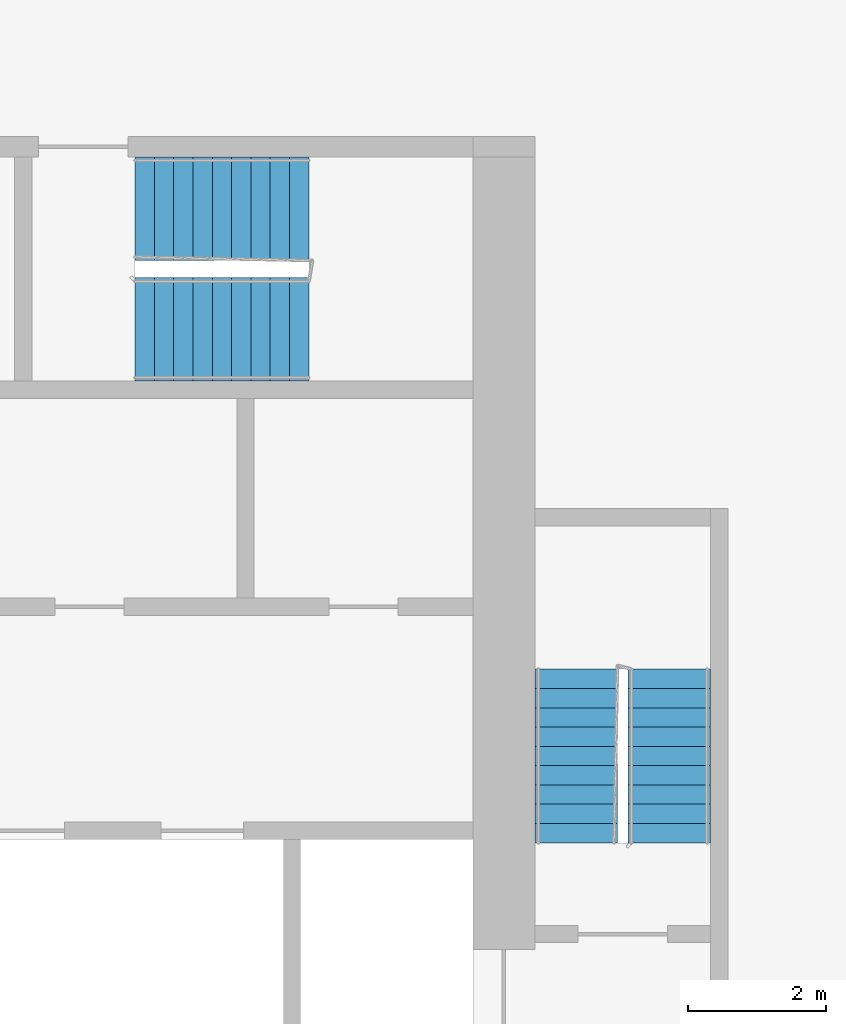
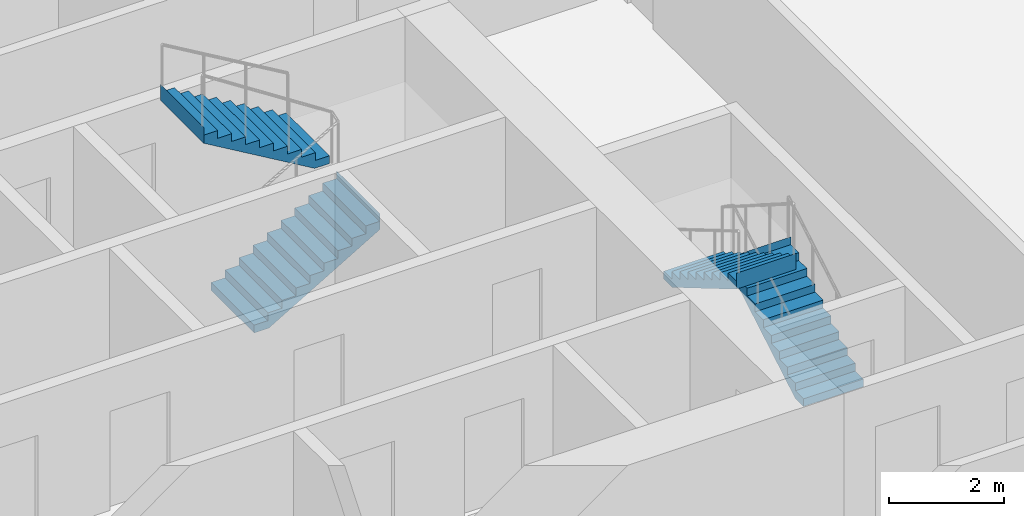
# One storey, part 11 of 12: 4 stair flights, 2 elements without a shape of their own.
"""IFC4 building model written with IfcOpenShell, lengths in metres."""

from ifc_helpers import new_model, si_unit, direction, frame, origin, place, context, subcontext, project, spatial, faceted_brep, material, type_object, element, aggregate, save


model = new_model("IFC4")

# Units and contexts
model_context = context("Model", 3, precision=1e-05, world=origin(), true_north=direction((0.0, 1.0)))
body_context = subcontext(model_context, "Body", "Model", "MODEL_VIEW")
ifc_project = project(units=[si_unit("LENGTHUNIT", "METRE"), si_unit("AREAUNIT", "SQUARE_METRE"), si_unit("VOLUMEUNIT", "CUBIC_METRE"), si_unit("PLANEANGLEUNIT", "RADIAN"), si_unit("MASSUNIT", "GRAM", prefix="KILO")], contexts=[model_context])

# Site, building, storey
site_placement = place(None, origin())
site = spatial("IfcSite", under=ifc_project, at=site_placement, CompositionType="ELEMENT")
building_placement = place(site_placement, origin())
building = spatial("IfcBuilding", under=site, at=building_placement, Name="Kajstack Hotel Tower", CompositionType="ELEMENT")
storey_placement = place(building_placement, frame((0.0, 0.0, 234.199951171875)))
storey = spatial("IfcBuildingStorey", under=building, at=storey_placement, Name="L57", CompositionType="ELEMENT", Elevation=234.199951171875)

# Stair, stair flights
ifc_material = material(Name="Concrete C40/50", Category="concrete")
stair_type_1 = type_object("IfcStairType", Name="Exit stair 1200", PredefinedType="HALF_TURN_STAIR", material=ifc_material)
stair_1_placement = place(storey_placement, origin())
stair_1 = element("IfcStair", 1, at=stair_1_placement, inside=storey, type_object=stair_type_1, Name="L57 stair E1", PredefinedType="HALF_TURN_STAIR")
stair_flight_type_1 = type_object("IfcStairFlightType", Name="Exit stair flight 1200", PredefinedType="STRAIGHT", material=ifc_material)
stair_flight_1_placement = place(storey_placement, frame((33.449951171875, 5.25, 0.0), z_axis=(0.0, 0.0, 1.0), x_axis=(0.0, 1.0, 0.0)))
stair_flight_1 = element("IfcStairFlight", 2, at=stair_flight_1_placement, type_object=stair_flight_type_1, Name="E1 flight 1", NumberOfRisers=10, NumberOfTreads=9, PredefinedType="STRAIGHT", RiserHeight=0.165, TreadLength=0.28, context=body_context, shape_type="Brep", body=[
    faceted_brep([(0.295654296875, -0.60009765625, 0.0), (2.5205078125, -0.60009765625, 1.31103515625), (2.5205078125, -0.60009765625, 1.64990234375), (2.52001953125, -0.60009765625, 1.64990234375), (2.52001953125, -0.60009765625, 1.485107421875), (2.239990234375, -0.60009765625, 1.485107421875), (2.239990234375, -0.60009765625, 1.320068359375), (1.9599609375, -0.60009765625, 1.320068359375), (1.9599609375, -0.60009765625, 1.155029296875), (1.679931640625, -0.60009765625, 1.155029296875), (1.679931640625, -0.60009765625, 0.989990234375), (1.39990234375, -0.60009765625, 0.989990234375), (1.39990234375, -0.60009765625, 0.824951171875), (1.1201171875, -0.60009765625, 0.824951171875), (1.1201171875, -0.60009765625, 0.659912109375), (0.840087890625, -0.60009765625, 0.659912109375), (0.840087890625, -0.60009765625, 0.4951171875), (0.56005859375, -0.60009765625, 0.4951171875), (0.56005859375, -0.60009765625, 0.330078125), (0.280029296875, -0.60009765625, 0.330078125), (0.280029296875, -0.60009765625, 0.1650390625), (-0.00048828125, -0.60009765625, 0.1650390625), (-0.00048828125, -0.60009765625, 0.0), (-0.00048828125, 0.60009765625, 0.0), (-0.00048828125, 0.60009765625, 0.1650390625), (0.280029296875, 0.60009765625, 0.1650390625), (0.280029296875, 0.60009765625, 0.330078125), (0.56005859375, 0.60009765625, 0.330078125), (0.56005859375, 0.60009765625, 0.4951171875), (0.840087890625, 0.60009765625, 0.4951171875), (0.840087890625, 0.60009765625, 0.659912109375), (1.1201171875, 0.60009765625, 0.659912109375), (1.1201171875, 0.60009765625, 0.824951171875), (1.39990234375, 0.60009765625, 0.824951171875), (1.39990234375, 0.60009765625, 0.989990234375), (1.679931640625, 0.60009765625, 0.989990234375), (1.679931640625, 0.60009765625, 1.155029296875), (1.9599609375, 0.60009765625, 1.155029296875), (1.9599609375, 0.60009765625, 1.320068359375), (2.239990234375, 0.60009765625, 1.320068359375), (2.239990234375, 0.60009765625, 1.485107421875), (2.52001953125, 0.60009765625, 1.485107421875), (2.52001953125, 0.60009765625, 1.64990234375), (2.5205078125, 0.60009765625, 1.64990234375), (2.5205078125, 0.60009765625, 1.31103515625), (0.295654296875, 0.60009765625, 0.0), (-0.00048828125, -0.300048828125, 0.1650390625), (-0.00048828125, 0.0, 0.1650390625), (-0.00048828125, 0.300048828125, 0.1650390625), (-0.00048828125, 0.300048828125, 0.0), (-0.00048828125, 0.0, 0.0), (-0.00048828125, -0.300048828125, 0.0), (0.280029296875, -0.300048828125, 0.1650390625), (0.280029296875, 0.0, 0.1650390625), (0.280029296875, 0.300048828125, 0.1650390625), (0.280029296875, -0.300048828125, 0.330078125), (0.280029296875, 0.0, 0.330078125), (0.280029296875, 0.300048828125, 0.330078125), (0.56005859375, -0.300048828125, 0.330078125), (0.56005859375, 0.0, 0.330078125), (0.56005859375, 0.300048828125, 0.330078125), (0.56005859375, -0.300048828125, 0.4951171875), (0.56005859375, 0.0, 0.4951171875), (0.56005859375, 0.300048828125, 0.4951171875), (0.840087890625, -0.300048828125, 0.4951171875), (0.840087890625, 0.0, 0.4951171875), (0.840087890625, 0.300048828125, 0.4951171875), (0.840087890625, -0.300048828125, 0.659912109375), (0.840087890625, 0.0, 0.659912109375), (0.840087890625, 0.300048828125, 0.659912109375), (1.1201171875, -0.300048828125, 0.659912109375), (1.1201171875, 0.0, 0.659912109375), (1.1201171875, 0.300048828125, 0.659912109375), (1.1201171875, -0.300048828125, 0.824951171875), (1.1201171875, 0.0, 0.824951171875), (1.1201171875, 0.300048828125, 0.824951171875), (1.39990234375, -0.300048828125, 0.824951171875), (1.39990234375, 0.0, 0.824951171875), (1.39990234375, 0.300048828125, 0.824951171875), (1.39990234375, -0.300048828125, 0.989990234375), (1.39990234375, 0.0, 0.989990234375), (1.39990234375, 0.300048828125, 0.989990234375), (1.679931640625, -0.300048828125, 0.989990234375), (1.679931640625, 0.0, 0.989990234375), (1.679931640625, 0.300048828125, 0.989990234375), (1.679931640625, -0.300048828125, 1.155029296875), (1.679931640625, 0.0, 1.155029296875), (1.679931640625, 0.300048828125, 1.155029296875), (1.9599609375, -0.300048828125, 1.155029296875), (1.9599609375, 0.0, 1.155029296875), (1.9599609375, 0.300048828125, 1.155029296875), (1.9599609375, -0.300048828125, 1.320068359375), (1.9599609375, 0.0, 1.320068359375), (1.9599609375, 0.300048828125, 1.320068359375), (2.239990234375, -0.300048828125, 1.320068359375), (2.239990234375, 0.0, 1.320068359375), (2.239990234375, 0.300048828125, 1.320068359375), (2.239990234375, -0.300048828125, 1.485107421875), (2.239990234375, 0.0, 1.485107421875), (2.239990234375, 0.300048828125, 1.485107421875), (2.52001953125, -0.300048828125, 1.485107421875), (2.52001953125, 0.0, 1.485107421875), (2.52001953125, 0.300048828125, 1.485107421875), (2.52001953125, -0.300048828125, 1.64990234375), (2.52001953125, 0.0, 1.64990234375), (2.52001953125, 0.300048828125, 1.64990234375), (2.5205078125, -0.300048828125, 1.64990234375), (2.5205078125, 0.0, 1.64990234375), (2.5205078125, 0.300048828125, 1.64990234375), (2.5205078125, -0.300048828125, 1.31103515625), (2.5205078125, 0.0, 1.31103515625), (2.5205078125, 0.300048828125, 1.31103515625), (0.295654296875, -0.300048828125, 0.0), (0.295654296875, 0.0, 0.0), (0.295654296875, 0.300048828125, 0.0)], [[[0, 1, 2, 3, 4, 5, 6, 7, 8, 9, 10, 11, 12, 13, 14, 15, 16, 17, 18, 19, 20, 21, 22]], [[23, 24, 25, 26, 27, 28, 29, 30, 31, 32, 33, 34, 35, 36, 37, 38, 39, 40, 41, 42, 43, 44, 45]], [[21, 46, 47, 48, 24, 23, 49, 50, 51, 22]], [[20, 52, 53, 54, 25, 24, 48, 47, 46, 21]], [[19, 55, 56, 57, 26, 25, 54, 53, 52, 20]], [[18, 58, 59, 60, 27, 26, 57, 56, 55, 19]], [[17, 61, 62, 63, 28, 27, 60, 59, 58, 18]], [[16, 64, 65, 66, 29, 28, 63, 62, 61, 17]], [[15, 67, 68, 69, 30, 29, 66, 65, 64, 16]], [[14, 70, 71, 72, 31, 30, 69, 68, 67, 15]], [[13, 73, 74, 75, 32, 31, 72, 71, 70, 14]], [[12, 76, 77, 78, 33, 32, 75, 74, 73, 13]], [[11, 79, 80, 81, 34, 33, 78, 77, 76, 12]], [[10, 82, 83, 84, 35, 34, 81, 80, 79, 11]], [[9, 85, 86, 87, 36, 35, 84, 83, 82, 10]], [[8, 88, 89, 90, 37, 36, 87, 86, 85, 9]], [[7, 91, 92, 93, 38, 37, 90, 89, 88, 8]], [[6, 94, 95, 96, 39, 38, 93, 92, 91, 7]], [[5, 97, 98, 99, 40, 39, 96, 95, 94, 6]], [[4, 100, 101, 102, 41, 40, 99, 98, 97, 5]], [[3, 103, 104, 105, 42, 41, 102, 101, 100, 4]], [[2, 106, 107, 108, 43, 42, 105, 104, 103, 3]], [[1, 109, 110, 111, 44, 43, 108, 107, 106, 2]], [[0, 112, 113, 114, 45, 44, 111, 110, 109, 1]], [[22, 51, 50, 49, 23, 45, 114, 113, 112, 0]]]),
])
stair_flight_2_placement = place(storey_placement, frame((32.10009765625, 7.77001953125, 1.650146484375), z_axis=(0.0, 0.0, 1.0), x_axis=(0.0, -1.0, 0.0)))
stair_flight_2 = element("IfcStairFlight", 3, at=stair_flight_2_placement, type_object=stair_flight_type_1, Name="E1 flight 2", NumberOfRisers=10, NumberOfTreads=9, PredefinedType="STRAIGHT", RiserHeight=0.165, TreadLength=0.28, context=body_context, shape_type="Brep", body=[
    faceted_brep([(0.295654296875, -0.60009765625, 0.0), (2.5205078125, -0.60009765625, 1.31103515625), (2.5205078125, -0.60009765625, 1.64990234375), (2.52001953125, -0.60009765625, 1.64990234375), (2.52001953125, -0.60009765625, 1.485107421875), (2.239990234375, -0.60009765625, 1.485107421875), (2.239990234375, -0.60009765625, 1.320068359375), (1.9599609375, -0.60009765625, 1.320068359375), (1.9599609375, -0.60009765625, 1.155029296875), (1.679931640625, -0.60009765625, 1.155029296875), (1.679931640625, -0.60009765625, 0.989990234375), (1.39990234375, -0.60009765625, 0.989990234375), (1.39990234375, -0.60009765625, 0.824951171875), (1.1201171875, -0.60009765625, 0.824951171875), (1.1201171875, -0.60009765625, 0.659912109375), (0.840087890625, -0.60009765625, 0.659912109375), (0.840087890625, -0.60009765625, 0.4951171875), (0.56005859375, -0.60009765625, 0.4951171875), (0.56005859375, -0.60009765625, 0.330078125), (0.280029296875, -0.60009765625, 0.330078125), (0.280029296875, -0.60009765625, 0.1650390625), (-0.00048828125, -0.60009765625, 0.1650390625), (-0.00048828125, -0.60009765625, 0.0), (-0.00048828125, 0.60009765625, 0.0), (-0.00048828125, 0.60009765625, 0.1650390625), (0.280029296875, 0.60009765625, 0.1650390625), (0.280029296875, 0.60009765625, 0.330078125), (0.56005859375, 0.60009765625, 0.330078125), (0.56005859375, 0.60009765625, 0.4951171875), (0.840087890625, 0.60009765625, 0.4951171875), (0.840087890625, 0.60009765625, 0.659912109375), (1.1201171875, 0.60009765625, 0.659912109375), (1.1201171875, 0.60009765625, 0.824951171875), (1.39990234375, 0.60009765625, 0.824951171875), (1.39990234375, 0.60009765625, 0.989990234375), (1.679931640625, 0.60009765625, 0.989990234375), (1.679931640625, 0.60009765625, 1.155029296875), (1.9599609375, 0.60009765625, 1.155029296875), (1.9599609375, 0.60009765625, 1.320068359375), (2.239990234375, 0.60009765625, 1.320068359375), (2.239990234375, 0.60009765625, 1.485107421875), (2.52001953125, 0.60009765625, 1.485107421875), (2.52001953125, 0.60009765625, 1.64990234375), (2.5205078125, 0.60009765625, 1.64990234375), (2.5205078125, 0.60009765625, 1.31103515625), (0.295654296875, 0.60009765625, 0.0), (-0.00048828125, -0.300048828125, 0.1650390625), (-0.00048828125, 0.0, 0.1650390625), (-0.00048828125, 0.300048828125, 0.1650390625), (-0.00048828125, 0.300048828125, 0.0), (-0.00048828125, 0.0, 0.0), (-0.00048828125, -0.300048828125, 0.0), (0.280029296875, -0.300048828125, 0.1650390625), (0.280029296875, 0.0, 0.1650390625), (0.280029296875, 0.300048828125, 0.1650390625), (0.280029296875, -0.300048828125, 0.330078125), (0.280029296875, 0.0, 0.330078125), (0.280029296875, 0.300048828125, 0.330078125), (0.56005859375, -0.300048828125, 0.330078125), (0.56005859375, 0.0, 0.330078125), (0.56005859375, 0.300048828125, 0.330078125), (0.56005859375, -0.300048828125, 0.4951171875), (0.56005859375, 0.0, 0.4951171875), (0.56005859375, 0.300048828125, 0.4951171875), (0.840087890625, -0.300048828125, 0.4951171875), (0.840087890625, 0.0, 0.4951171875), (0.840087890625, 0.300048828125, 0.4951171875), (0.840087890625, -0.300048828125, 0.659912109375), (0.840087890625, 0.0, 0.659912109375), (0.840087890625, 0.300048828125, 0.659912109375), (1.1201171875, -0.300048828125, 0.659912109375), (1.1201171875, 0.0, 0.659912109375), (1.1201171875, 0.300048828125, 0.659912109375), (1.1201171875, -0.300048828125, 0.824951171875), (1.1201171875, 0.0, 0.824951171875), (1.1201171875, 0.300048828125, 0.824951171875), (1.39990234375, -0.300048828125, 0.824951171875), (1.39990234375, 0.0, 0.824951171875), (1.39990234375, 0.300048828125, 0.824951171875), (1.39990234375, -0.300048828125, 0.989990234375), (1.39990234375, 0.0, 0.989990234375), (1.39990234375, 0.300048828125, 0.989990234375), (1.679931640625, -0.300048828125, 0.989990234375), (1.679931640625, 0.0, 0.989990234375), (1.679931640625, 0.300048828125, 0.989990234375), (1.679931640625, -0.300048828125, 1.155029296875), (1.679931640625, 0.0, 1.155029296875), (1.679931640625, 0.300048828125, 1.155029296875), (1.9599609375, -0.300048828125, 1.155029296875), (1.9599609375, 0.0, 1.155029296875), (1.9599609375, 0.300048828125, 1.155029296875), (1.9599609375, -0.300048828125, 1.320068359375), (1.9599609375, 0.0, 1.320068359375), (1.9599609375, 0.300048828125, 1.320068359375), (2.239990234375, -0.300048828125, 1.320068359375), (2.239990234375, 0.0, 1.320068359375), (2.239990234375, 0.300048828125, 1.320068359375), (2.239990234375, -0.300048828125, 1.485107421875), (2.239990234375, 0.0, 1.485107421875), (2.239990234375, 0.300048828125, 1.485107421875), (2.52001953125, -0.300048828125, 1.485107421875), (2.52001953125, 0.0, 1.485107421875), (2.52001953125, 0.300048828125, 1.485107421875), (2.52001953125, -0.300048828125, 1.64990234375), (2.52001953125, 0.0, 1.64990234375), (2.52001953125, 0.300048828125, 1.64990234375), (2.5205078125, -0.300048828125, 1.64990234375), (2.5205078125, 0.0, 1.64990234375), (2.5205078125, 0.300048828125, 1.64990234375), (2.5205078125, -0.300048828125, 1.31103515625), (2.5205078125, 0.0, 1.31103515625), (2.5205078125, 0.300048828125, 1.31103515625), (0.295654296875, -0.300048828125, 0.0), (0.295654296875, 0.0, 0.0), (0.295654296875, 0.300048828125, 0.0)], [[[0, 1, 2, 3, 4, 5, 6, 7, 8, 9, 10, 11, 12, 13, 14, 15, 16, 17, 18, 19, 20, 21, 22]], [[23, 24, 25, 26, 27, 28, 29, 30, 31, 32, 33, 34, 35, 36, 37, 38, 39, 40, 41, 42, 43, 44, 45]], [[21, 46, 47, 48, 24, 23, 49, 50, 51, 22]], [[20, 52, 53, 54, 25, 24, 48, 47, 46, 21]], [[19, 55, 56, 57, 26, 25, 54, 53, 52, 20]], [[18, 58, 59, 60, 27, 26, 57, 56, 55, 19]], [[17, 61, 62, 63, 28, 27, 60, 59, 58, 18]], [[16, 64, 65, 66, 29, 28, 63, 62, 61, 17]], [[15, 67, 68, 69, 30, 29, 66, 65, 64, 16]], [[14, 70, 71, 72, 31, 30, 69, 68, 67, 15]], [[13, 73, 74, 75, 32, 31, 72, 71, 70, 14]], [[12, 76, 77, 78, 33, 32, 75, 74, 73, 13]], [[11, 79, 80, 81, 34, 33, 78, 77, 76, 12]], [[10, 82, 83, 84, 35, 34, 81, 80, 79, 11]], [[9, 85, 86, 87, 36, 35, 84, 83, 82, 10]], [[8, 88, 89, 90, 37, 36, 87, 86, 85, 9]], [[7, 91, 92, 93, 38, 37, 90, 89, 88, 8]], [[6, 94, 95, 96, 39, 38, 93, 92, 91, 7]], [[5, 97, 98, 99, 40, 39, 96, 95, 94, 6]], [[4, 100, 101, 102, 41, 40, 99, 98, 97, 5]], [[3, 103, 104, 105, 42, 41, 102, 101, 100, 4]], [[2, 106, 107, 108, 43, 42, 105, 104, 103, 3]], [[1, 109, 110, 111, 44, 43, 108, 107, 106, 2]], [[0, 112, 113, 114, 45, 44, 111, 110, 109, 1]], [[22, 51, 50, 49, 23, 45, 114, 113, 112, 0]]]),
])
aggregate(stair_1, [stair_flight_1, stair_flight_2])

stair_type_2 = type_object("IfcStairType", Name="Exit stair 1500", PredefinedType="HALF_TURN_STAIR", material=ifc_material)
stair_2_placement = place(storey_placement, origin())
stair_2 = element("IfcStair", 4, at=stair_2_placement, inside=storey, type_object=stair_type_2, Name="L57 stair E3", PredefinedType="HALF_TURN_STAIR")
stair_flight_type_2 = type_object("IfcStairFlightType", Name="Exit stair flight 1500", PredefinedType="STRAIGHT", material=ifc_material)
stair_flight_3_placement = place(storey_placement, frame((25.699951171875, 12.699951171875, 0.0), z_axis=(0.0, 0.0, 1.0), x_axis=(1.0, 0.0, 0.0)))
stair_flight_3 = element("IfcStairFlight", 5, at=stair_flight_3_placement, type_object=stair_flight_type_2, Name="E3 flight 1", NumberOfRisers=10, NumberOfTreads=9, PredefinedType="STRAIGHT", RiserHeight=0.165, TreadLength=0.28, context=body_context, shape_type="Brep", body=[
    faceted_brep([(0.295654296875, -0.75, 0.0), (2.5205078125, -0.75, 1.31103515625), (2.5205078125, -0.75, 1.64990234375), (2.52001953125, -0.75, 1.64990234375), (2.52001953125, -0.75, 1.485107421875), (2.239990234375, -0.75, 1.485107421875), (2.239990234375, -0.75, 1.320068359375), (1.9599609375, -0.75, 1.320068359375), (1.9599609375, -0.75, 1.155029296875), (1.679931640625, -0.75, 1.155029296875), (1.679931640625, -0.75, 0.989990234375), (1.39990234375, -0.75, 0.989990234375), (1.39990234375, -0.75, 0.824951171875), (1.1201171875, -0.75, 0.824951171875), (1.1201171875, -0.75, 0.659912109375), (0.840087890625, -0.75, 0.659912109375), (0.840087890625, -0.75, 0.4951171875), (0.56005859375, -0.75, 0.4951171875), (0.56005859375, -0.75, 0.330078125), (0.280029296875, -0.75, 0.330078125), (0.280029296875, -0.75, 0.1650390625), (-0.00048828125, -0.75, 0.1650390625), (-0.00048828125, -0.75, 0.0), (-0.00048828125, 0.75, 0.0), (-0.00048828125, 0.75, 0.1650390625), (0.280029296875, 0.75, 0.1650390625), (0.280029296875, 0.75, 0.330078125), (0.56005859375, 0.75, 0.330078125), (0.56005859375, 0.75, 0.4951171875), (0.840087890625, 0.75, 0.4951171875), (0.840087890625, 0.75, 0.659912109375), (1.1201171875, 0.75, 0.659912109375), (1.1201171875, 0.75, 0.824951171875), (1.39990234375, 0.75, 0.824951171875), (1.39990234375, 0.75, 0.989990234375), (1.679931640625, 0.75, 0.989990234375), (1.679931640625, 0.75, 1.155029296875), (1.9599609375, 0.75, 1.155029296875), (1.9599609375, 0.75, 1.320068359375), (2.239990234375, 0.75, 1.320068359375), (2.239990234375, 0.75, 1.485107421875), (2.52001953125, 0.75, 1.485107421875), (2.52001953125, 0.75, 1.64990234375), (2.5205078125, 0.75, 1.64990234375), (2.5205078125, 0.75, 1.31103515625), (0.295654296875, 0.75, 0.0), (-0.00048828125, -0.375, 0.1650390625), (-0.00048828125, 0.0, 0.1650390625), (-0.00048828125, 0.375, 0.1650390625), (-0.00048828125, 0.375, 0.0), (-0.00048828125, 0.0, 0.0), (-0.00048828125, -0.375, 0.0), (0.280029296875, -0.375, 0.1650390625), (0.280029296875, 0.0, 0.1650390625), (0.280029296875, 0.375, 0.1650390625), (0.280029296875, -0.375, 0.330078125), (0.280029296875, 0.0, 0.330078125), (0.280029296875, 0.375, 0.330078125), (0.56005859375, -0.375, 0.330078125), (0.56005859375, 0.0, 0.330078125), (0.56005859375, 0.375, 0.330078125), (0.56005859375, -0.375, 0.4951171875), (0.56005859375, 0.0, 0.4951171875), (0.56005859375, 0.375, 0.4951171875), (0.840087890625, -0.375, 0.4951171875), (0.840087890625, 0.0, 0.4951171875), (0.840087890625, 0.375, 0.4951171875), (0.840087890625, -0.375, 0.659912109375), (0.840087890625, 0.0, 0.659912109375), (0.840087890625, 0.375, 0.659912109375), (1.1201171875, -0.375, 0.659912109375), (1.1201171875, 0.0, 0.659912109375), (1.1201171875, 0.375, 0.659912109375), (1.1201171875, -0.375, 0.824951171875), (1.1201171875, 0.0, 0.824951171875), (1.1201171875, 0.375, 0.824951171875), (1.39990234375, -0.375, 0.824951171875), (1.39990234375, 0.0, 0.824951171875), (1.39990234375, 0.375, 0.824951171875), (1.39990234375, -0.375, 0.989990234375), (1.39990234375, 0.0, 0.989990234375), (1.39990234375, 0.375, 0.989990234375), (1.679931640625, -0.375, 0.989990234375), (1.679931640625, 0.0, 0.989990234375), (1.679931640625, 0.375, 0.989990234375), (1.679931640625, -0.375, 1.155029296875), (1.679931640625, 0.0, 1.155029296875), (1.679931640625, 0.375, 1.155029296875), (1.9599609375, -0.375, 1.155029296875), (1.9599609375, 0.0, 1.155029296875), (1.9599609375, 0.375, 1.155029296875), (1.9599609375, -0.375, 1.320068359375), (1.9599609375, 0.0, 1.320068359375), (1.9599609375, 0.375, 1.320068359375), (2.239990234375, -0.375, 1.320068359375), (2.239990234375, 0.0, 1.320068359375), (2.239990234375, 0.375, 1.320068359375), (2.239990234375, -0.375, 1.485107421875), (2.239990234375, 0.0, 1.485107421875), (2.239990234375, 0.375, 1.485107421875), (2.52001953125, -0.375, 1.485107421875), (2.52001953125, 0.0, 1.485107421875), (2.52001953125, 0.375, 1.485107421875), (2.52001953125, -0.375, 1.64990234375), (2.52001953125, 0.0, 1.64990234375), (2.52001953125, 0.375, 1.64990234375), (2.5205078125, -0.375, 1.64990234375), (2.5205078125, 0.0, 1.64990234375), (2.5205078125, 0.375, 1.64990234375), (2.5205078125, -0.375, 1.31103515625), (2.5205078125, 0.0, 1.31103515625), (2.5205078125, 0.375, 1.31103515625), (0.295654296875, -0.375, 0.0), (0.295654296875, 0.0, 0.0), (0.295654296875, 0.375, 0.0)], [[[0, 1, 2, 3, 4, 5, 6, 7, 8, 9, 10, 11, 12, 13, 14, 15, 16, 17, 18, 19, 20, 21, 22]], [[23, 24, 25, 26, 27, 28, 29, 30, 31, 32, 33, 34, 35, 36, 37, 38, 39, 40, 41, 42, 43, 44, 45]], [[21, 46, 47, 48, 24, 23, 49, 50, 51, 22]], [[20, 52, 53, 54, 25, 24, 48, 47, 46, 21]], [[19, 55, 56, 57, 26, 25, 54, 53, 52, 20]], [[18, 58, 59, 60, 27, 26, 57, 56, 55, 19]], [[17, 61, 62, 63, 28, 27, 60, 59, 58, 18]], [[16, 64, 65, 66, 29, 28, 63, 62, 61, 17]], [[15, 67, 68, 69, 30, 29, 66, 65, 64, 16]], [[14, 70, 71, 72, 31, 30, 69, 68, 67, 15]], [[13, 73, 74, 75, 32, 31, 72, 71, 70, 14]], [[12, 76, 77, 78, 33, 32, 75, 74, 73, 13]], [[11, 79, 80, 81, 34, 33, 78, 77, 76, 12]], [[10, 82, 83, 84, 35, 34, 81, 80, 79, 11]], [[9, 85, 86, 87, 36, 35, 84, 83, 82, 10]], [[8, 88, 89, 90, 37, 36, 87, 86, 85, 9]], [[7, 91, 92, 93, 38, 37, 90, 89, 88, 8]], [[6, 94, 95, 96, 39, 38, 93, 92, 91, 7]], [[5, 97, 98, 99, 40, 39, 96, 95, 94, 6]], [[4, 100, 101, 102, 41, 40, 99, 98, 97, 5]], [[3, 103, 104, 105, 42, 41, 102, 101, 100, 4]], [[2, 106, 107, 108, 43, 42, 105, 104, 103, 3]], [[1, 109, 110, 111, 44, 43, 108, 107, 106, 2]], [[0, 112, 113, 114, 45, 44, 111, 110, 109, 1]], [[22, 51, 50, 49, 23, 45, 114, 113, 112, 0]]]),
])
stair_flight_4_placement = place(storey_placement, frame((28.219970703125, 14.449951171875, 1.650146484375), z_axis=(0.0, 0.0, 1.0), x_axis=(-1.0, 0.0, 0.0)))
stair_flight_4 = element("IfcStairFlight", 6, at=stair_flight_4_placement, type_object=stair_flight_type_2, Name="E3 flight 2", NumberOfRisers=10, NumberOfTreads=9, PredefinedType="STRAIGHT", RiserHeight=0.165, TreadLength=0.28, context=body_context, shape_type="Brep", body=[
    faceted_brep([(0.295654296875, -0.75, 0.0), (2.5205078125, -0.75, 1.31103515625), (2.5205078125, -0.75, 1.64990234375), (2.52001953125, -0.75, 1.64990234375), (2.52001953125, -0.75, 1.485107421875), (2.239990234375, -0.75, 1.485107421875), (2.239990234375, -0.75, 1.320068359375), (1.9599609375, -0.75, 1.320068359375), (1.9599609375, -0.75, 1.155029296875), (1.679931640625, -0.75, 1.155029296875), (1.679931640625, -0.75, 0.989990234375), (1.39990234375, -0.75, 0.989990234375), (1.39990234375, -0.75, 0.824951171875), (1.1201171875, -0.75, 0.824951171875), (1.1201171875, -0.75, 0.659912109375), (0.840087890625, -0.75, 0.659912109375), (0.840087890625, -0.75, 0.4951171875), (0.56005859375, -0.75, 0.4951171875), (0.56005859375, -0.75, 0.330078125), (0.280029296875, -0.75, 0.330078125), (0.280029296875, -0.75, 0.1650390625), (-0.00048828125, -0.75, 0.1650390625), (-0.00048828125, -0.75, 0.0), (-0.00048828125, 0.75, 0.0), (-0.00048828125, 0.75, 0.1650390625), (0.280029296875, 0.75, 0.1650390625), (0.280029296875, 0.75, 0.330078125), (0.56005859375, 0.75, 0.330078125), (0.56005859375, 0.75, 0.4951171875), (0.840087890625, 0.75, 0.4951171875), (0.840087890625, 0.75, 0.659912109375), (1.1201171875, 0.75, 0.659912109375), (1.1201171875, 0.75, 0.824951171875), (1.39990234375, 0.75, 0.824951171875), (1.39990234375, 0.75, 0.989990234375), (1.679931640625, 0.75, 0.989990234375), (1.679931640625, 0.75, 1.155029296875), (1.9599609375, 0.75, 1.155029296875), (1.9599609375, 0.75, 1.320068359375), (2.239990234375, 0.75, 1.320068359375), (2.239990234375, 0.75, 1.485107421875), (2.52001953125, 0.75, 1.485107421875), (2.52001953125, 0.75, 1.64990234375), (2.5205078125, 0.75, 1.64990234375), (2.5205078125, 0.75, 1.31103515625), (0.295654296875, 0.75, 0.0), (-0.00048828125, -0.375, 0.1650390625), (-0.00048828125, 0.0, 0.1650390625), (-0.00048828125, 0.375, 0.1650390625), (-0.00048828125, 0.375, 0.0), (-0.00048828125, 0.0, 0.0), (-0.00048828125, -0.375, 0.0), (0.280029296875, -0.375, 0.1650390625), (0.280029296875, 0.0, 0.1650390625), (0.280029296875, 0.375, 0.1650390625), (0.280029296875, -0.375, 0.330078125), (0.280029296875, 0.0, 0.330078125), (0.280029296875, 0.375, 0.330078125), (0.56005859375, -0.375, 0.330078125), (0.56005859375, 0.0, 0.330078125), (0.56005859375, 0.375, 0.330078125), (0.56005859375, -0.375, 0.4951171875), (0.56005859375, 0.0, 0.4951171875), (0.56005859375, 0.375, 0.4951171875), (0.840087890625, -0.375, 0.4951171875), (0.840087890625, 0.0, 0.4951171875), (0.840087890625, 0.375, 0.4951171875), (0.840087890625, -0.375, 0.659912109375), (0.840087890625, 0.0, 0.659912109375), (0.840087890625, 0.375, 0.659912109375), (1.1201171875, -0.375, 0.659912109375), (1.1201171875, 0.0, 0.659912109375), (1.1201171875, 0.375, 0.659912109375), (1.1201171875, -0.375, 0.824951171875), (1.1201171875, 0.0, 0.824951171875), (1.1201171875, 0.375, 0.824951171875), (1.39990234375, -0.375, 0.824951171875), (1.39990234375, 0.0, 0.824951171875), (1.39990234375, 0.375, 0.824951171875), (1.39990234375, -0.375, 0.989990234375), (1.39990234375, 0.0, 0.989990234375), (1.39990234375, 0.375, 0.989990234375), (1.679931640625, -0.375, 0.989990234375), (1.679931640625, 0.0, 0.989990234375), (1.679931640625, 0.375, 0.989990234375), (1.679931640625, -0.375, 1.155029296875), (1.679931640625, 0.0, 1.155029296875), (1.679931640625, 0.375, 1.155029296875), (1.9599609375, -0.375, 1.155029296875), (1.9599609375, 0.0, 1.155029296875), (1.9599609375, 0.375, 1.155029296875), (1.9599609375, -0.375, 1.320068359375), (1.9599609375, 0.0, 1.320068359375), (1.9599609375, 0.375, 1.320068359375), (2.239990234375, -0.375, 1.320068359375), (2.239990234375, 0.0, 1.320068359375), (2.239990234375, 0.375, 1.320068359375), (2.239990234375, -0.375, 1.485107421875), (2.239990234375, 0.0, 1.485107421875), (2.239990234375, 0.375, 1.485107421875), (2.52001953125, -0.375, 1.485107421875), (2.52001953125, 0.0, 1.485107421875), (2.52001953125, 0.375, 1.485107421875), (2.52001953125, -0.375, 1.64990234375), (2.52001953125, 0.0, 1.64990234375), (2.52001953125, 0.375, 1.64990234375), (2.5205078125, -0.375, 1.64990234375), (2.5205078125, 0.0, 1.64990234375), (2.5205078125, 0.375, 1.64990234375), (2.5205078125, -0.375, 1.31103515625), (2.5205078125, 0.0, 1.31103515625), (2.5205078125, 0.375, 1.31103515625), (0.295654296875, -0.375, 0.0), (0.295654296875, 0.0, 0.0), (0.295654296875, 0.375, 0.0)], [[[0, 1, 2, 3, 4, 5, 6, 7, 8, 9, 10, 11, 12, 13, 14, 15, 16, 17, 18, 19, 20, 21, 22]], [[23, 24, 25, 26, 27, 28, 29, 30, 31, 32, 33, 34, 35, 36, 37, 38, 39, 40, 41, 42, 43, 44, 45]], [[21, 46, 47, 48, 24, 23, 49, 50, 51, 22]], [[20, 52, 53, 54, 25, 24, 48, 47, 46, 21]], [[19, 55, 56, 57, 26, 25, 54, 53, 52, 20]], [[18, 58, 59, 60, 27, 26, 57, 56, 55, 19]], [[17, 61, 62, 63, 28, 27, 60, 59, 58, 18]], [[16, 64, 65, 66, 29, 28, 63, 62, 61, 17]], [[15, 67, 68, 69, 30, 29, 66, 65, 64, 16]], [[14, 70, 71, 72, 31, 30, 69, 68, 67, 15]], [[13, 73, 74, 75, 32, 31, 72, 71, 70, 14]], [[12, 76, 77, 78, 33, 32, 75, 74, 73, 13]], [[11, 79, 80, 81, 34, 33, 78, 77, 76, 12]], [[10, 82, 83, 84, 35, 34, 81, 80, 79, 11]], [[9, 85, 86, 87, 36, 35, 84, 83, 82, 10]], [[8, 88, 89, 90, 37, 36, 87, 86, 85, 9]], [[7, 91, 92, 93, 38, 37, 90, 89, 88, 8]], [[6, 94, 95, 96, 39, 38, 93, 92, 91, 7]], [[5, 97, 98, 99, 40, 39, 96, 95, 94, 6]], [[4, 100, 101, 102, 41, 40, 99, 98, 97, 5]], [[3, 103, 104, 105, 42, 41, 102, 101, 100, 4]], [[2, 106, 107, 108, 43, 42, 105, 104, 103, 3]], [[1, 109, 110, 111, 44, 43, 108, 107, 106, 2]], [[0, 112, 113, 114, 45, 44, 111, 110, 109, 1]], [[22, 51, 50, 49, 23, 45, 114, 113, 112, 0]]]),
])
aggregate(stair_2, [stair_flight_3, stair_flight_4])

save(model, "model.ifc")
